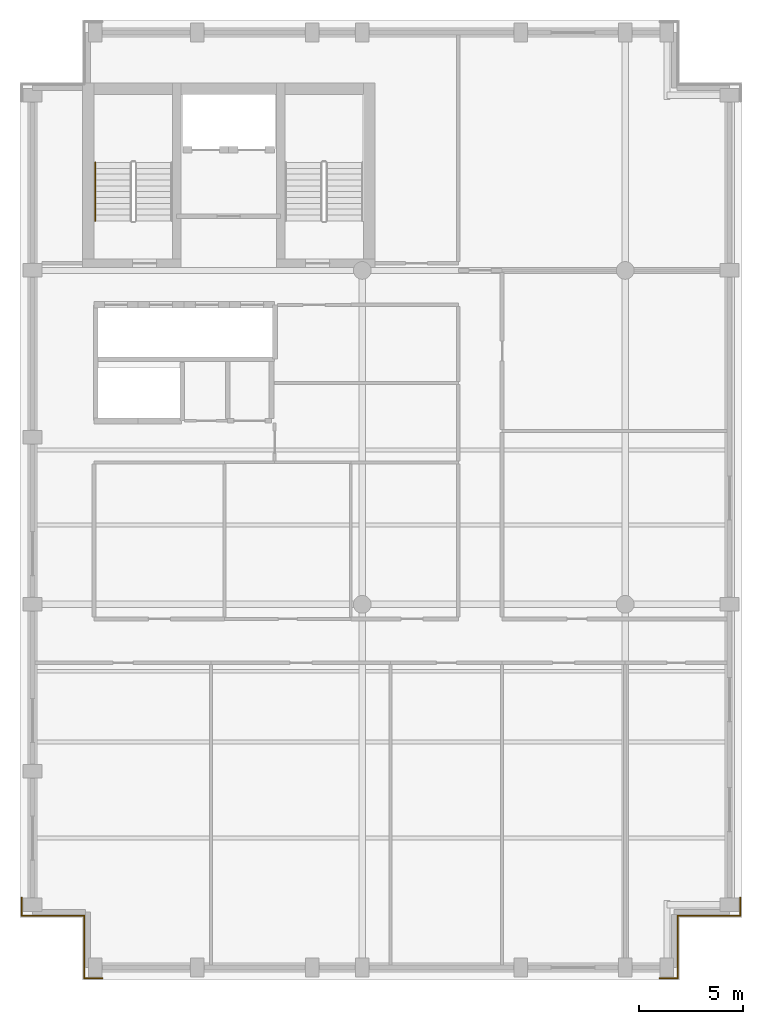
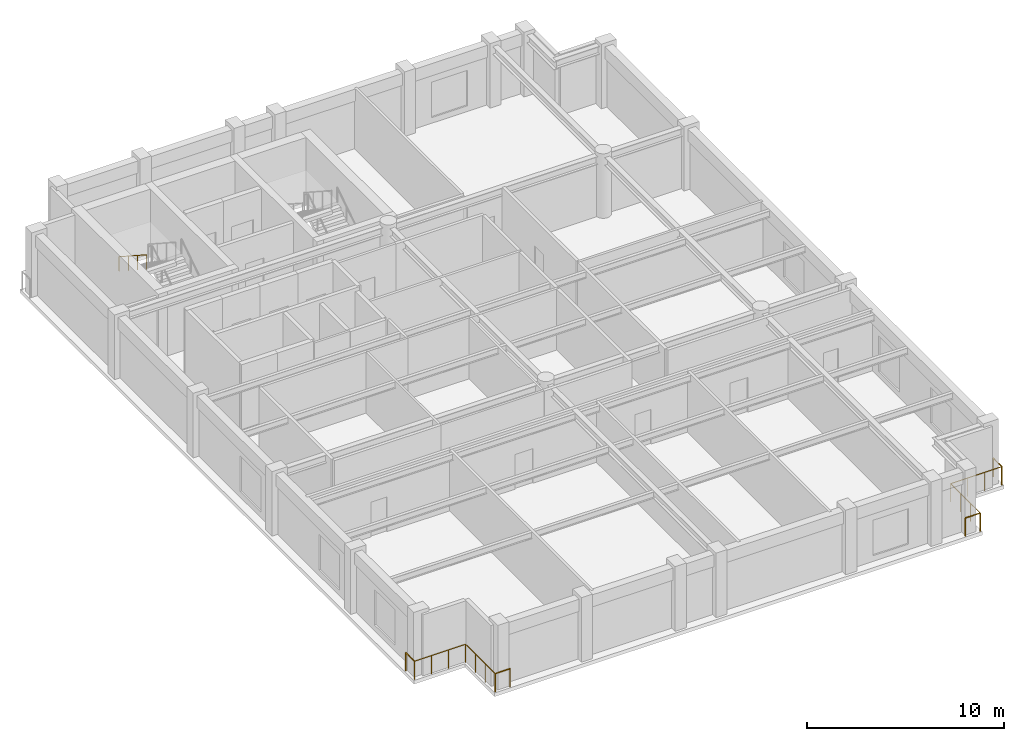
# One storey, part 5 of 6: 9 railings.
"""IFC4 building model written with IfcOpenShell, lengths in metres."""

from ifc_helpers import new_model, si_unit, direction, frame, origin, origin_2d, place, context, subcontext, project, spatial, circle, extrude, material, type_object, element, save


model = new_model("IFC4")

# Units and contexts
model_context = context("Model", 3, precision=1e-05, world=origin(), true_north=direction((0.0, 1.0)))
body_context = subcontext(model_context, "Body", "Model", "MODEL_VIEW")
ifc_project = project(units=[si_unit("LENGTHUNIT", "METRE"), si_unit("AREAUNIT", "SQUARE_METRE"), si_unit("VOLUMEUNIT", "CUBIC_METRE"), si_unit("PLANEANGLEUNIT", "RADIAN"), si_unit("MASSUNIT", "GRAM", prefix="KILO")], contexts=[model_context])

# Site, building, storey
site_placement = place(None, origin())
site = spatial("IfcSite", under=ifc_project, at=site_placement, CompositionType="ELEMENT")
building_placement = place(site_placement, origin())
building = spatial("IfcBuilding", under=site, at=building_placement, Name="Sulina Concourse Tower", CompositionType="ELEMENT")
storey_placement = place(building_placement, frame((0.0, 0.0, 309.0)))
storey = spatial("IfcBuildingStorey", under=building, at=storey_placement, Name="L75", CompositionType="ELEMENT", Elevation=309.0)

# Railings
ifc_material_1 = material(Name="Galvanised steel railing", Category="steel")
railing_type_1 = type_object("IfcRailingType", Name="Core Stair Steel Guardrail 1150mm", PredefinedType="GUARDRAIL", material=ifc_material_1)
railing_1_placement = place(storey_placement, frame((34.52001953125, 3.949951171875, 0.0)))
element("IfcRailing", 1, at=railing_1_placement, inside=storey, type_object=railing_type_1, Name="L75 perimeter edge safety guardrail SE1", PredefinedType="GUARDRAIL", context=body_context, shape_type="SweptSolid", body=[
    extrude(circle(Radius=0.02392578125, at=origin_2d()), frame((0.0, 0.0, 1.1259765625), z_axis=(0.0, -1.0, 0.0), x_axis=(1.0, 0.0, 0.0)), (0.0, 0.0, 1.0), 0.869873046875),
    extrude(circle(Radius=0.02099609375, at=origin_2d()), origin(), (0.0, 0.0, 1.0), 1.101806640625),
    extrude(circle(Radius=0.02099609375, at=origin_2d()), frame((0.0, -0.869873046875, 0.0)), (0.0, 0.0, 1.0), 1.101806640625),
])
railing_2_placement = place(storey_placement, frame((34.52001953125, 3.080078125, 0.0)))
element("IfcRailing", 2, at=railing_2_placement, inside=storey, type_object=railing_type_1, Name="L75 perimeter edge safety guardrail SE2", PredefinedType="GUARDRAIL", context=body_context, shape_type="SweptSolid", body=[
    extrude(circle(Radius=0.02392578125, at=origin_2d()), frame((0.0, 0.0, 1.1259765625), z_axis=(-1.0, 0.0, 0.0), x_axis=(0.0, -1.0, 0.0)), (0.0, 0.0, 1.0), 3.0),
    extrude(circle(Radius=0.02099609375, at=origin_2d()), origin(), (0.0, 0.0, 1.0), 1.101806640625),
    extrude(circle(Radius=0.02099609375, at=origin_2d()), frame((-1.0, 0.0, 0.0)), (0.0, 0.0, 1.0), 1.101806640625),
    extrude(circle(Radius=0.02099609375, at=origin_2d()), frame((-2.0, 0.0, 0.0)), (0.0, 0.0, 1.0), 1.101806640625),
    extrude(circle(Radius=0.02099609375, at=origin_2d()), frame((-3.0, 0.0, 0.0)), (0.0, 0.0, 1.0), 1.101806640625),
])
railing_3_placement = place(storey_placement, frame((31.52001953125, 3.080078125, 0.0)))
element("IfcRailing", 3, at=railing_3_placement, inside=storey, type_object=railing_type_1, Name="L75 perimeter edge safety guardrail SE3", PredefinedType="GUARDRAIL", context=body_context, shape_type="SweptSolid", body=[
    extrude(circle(Radius=0.02392578125, at=origin_2d()), frame((0.0, 0.0, 1.1259765625), z_axis=(0.0, -1.0, 0.0), x_axis=(1.0, 0.0, 0.0)), (0.0, 0.0, 1.0), 3.0),
    extrude(circle(Radius=0.02099609375, at=origin_2d()), origin(), (0.0, 0.0, 1.0), 1.101806640625),
    extrude(circle(Radius=0.02099609375, at=origin_2d()), frame((0.0, -1.0, 0.0)), (0.0, 0.0, 1.0), 1.101806640625),
    extrude(circle(Radius=0.02099609375, at=origin_2d()), frame((0.0, -2.0, 0.0)), (0.0, 0.0, 1.0), 1.101806640625),
    extrude(circle(Radius=0.02099609375, at=origin_2d()), frame((0.0, -3.0, 0.0)), (0.0, 0.0, 1.0), 1.101806640625),
])
railing_4_placement = place(storey_placement, frame((31.52001953125, 0.080078125, 0.0)))
element("IfcRailing", 4, at=railing_4_placement, inside=storey, type_object=railing_type_1, Name="L75 perimeter edge safety guardrail SE4", PredefinedType="GUARDRAIL", context=body_context, shape_type="SweptSolid", body=[
    extrude(circle(Radius=0.02392578125, at=origin_2d()), frame((0.0, 0.0, 1.1259765625), z_axis=(-1.0, 0.0, 0.0), x_axis=(0.0, -1.0, 0.0)), (0.0, 0.0, 1.0), 0.8701171875),
    extrude(circle(Radius=0.02099609375, at=origin_2d()), origin(), (0.0, 0.0, 1.0), 1.101806640625),
    extrude(circle(Radius=0.02099609375, at=origin_2d()), frame((-0.8701171875, 0.0, 0.0)), (0.0, 0.0, 1.0), 1.101806640625),
])
railing_5_placement = place(storey_placement, frame((3.949951171875, 0.080078125, 0.0)))
element("IfcRailing", 5, at=railing_5_placement, inside=storey, type_object=railing_type_1, Name="L75 perimeter edge safety guardrail SW1", PredefinedType="GUARDRAIL", context=body_context, shape_type="SweptSolid", body=[
    extrude(circle(Radius=0.02392578125, at=origin_2d()), frame((0.0, 0.0, 1.1259765625), z_axis=(-1.0, 0.0, 0.0), x_axis=(0.0, -1.0, 0.0)), (0.0, 0.0, 1.0), 0.869873046875),
    extrude(circle(Radius=0.02099609375, at=origin_2d()), origin(), (0.0, 0.0, 1.0), 1.101806640625),
    extrude(circle(Radius=0.02099609375, at=origin_2d()), frame((-0.869873046875, 0.0, 0.0)), (0.0, 0.0, 1.0), 1.101806640625),
])
railing_6_placement = place(storey_placement, frame((3.080078125, 0.080078125, 0.0)))
element("IfcRailing", 6, at=railing_6_placement, inside=storey, type_object=railing_type_1, Name="L75 perimeter edge safety guardrail SW2", PredefinedType="GUARDRAIL", context=body_context, shape_type="SweptSolid", body=[
    extrude(circle(Radius=0.02392578125, at=origin_2d()), frame((0.0, 0.0, 1.1259765625), z_axis=(0.0, 1.0, 0.0), x_axis=(-1.0, 0.0, 0.0)), (0.0, 0.0, 1.0), 3.0),
    extrude(circle(Radius=0.02099609375, at=origin_2d()), origin(), (0.0, 0.0, 1.0), 1.101806640625),
    extrude(circle(Radius=0.02099609375, at=origin_2d()), frame((0.0, 1.0, 0.0)), (0.0, 0.0, 1.0), 1.101806640625),
    extrude(circle(Radius=0.02099609375, at=origin_2d()), frame((0.0, 2.0, 0.0)), (0.0, 0.0, 1.0), 1.101806640625),
    extrude(circle(Radius=0.02099609375, at=origin_2d()), frame((0.0, 3.0, 0.0)), (0.0, 0.0, 1.0), 1.101806640625),
])
railing_7_placement = place(storey_placement, frame((3.080078125, 3.080078125, 0.0)))
element("IfcRailing", 7, at=railing_7_placement, inside=storey, type_object=railing_type_1, Name="L75 perimeter edge safety guardrail SW3", PredefinedType="GUARDRAIL", context=body_context, shape_type="SweptSolid", body=[
    extrude(circle(Radius=0.02392578125, at=origin_2d()), frame((0.0, 0.0, 1.1259765625), z_axis=(-1.0, 0.0, 0.0), x_axis=(0.0, -1.0, 0.0)), (0.0, 0.0, 1.0), 3.0),
    extrude(circle(Radius=0.02099609375, at=origin_2d()), origin(), (0.0, 0.0, 1.0), 1.101806640625),
    extrude(circle(Radius=0.02099609375, at=origin_2d()), frame((-1.0, 0.0, 0.0)), (0.0, 0.0, 1.0), 1.101806640625),
    extrude(circle(Radius=0.02099609375, at=origin_2d()), frame((-2.0, 0.0, 0.0)), (0.0, 0.0, 1.0), 1.101806640625),
    extrude(circle(Radius=0.02099609375, at=origin_2d()), frame((-3.0, 0.0, 0.0)), (0.0, 0.0, 1.0), 1.101806640625),
])
railing_8_placement = place(storey_placement, frame((0.080078125, 3.080078125, 0.0)))
element("IfcRailing", 8, at=railing_8_placement, inside=storey, type_object=railing_type_1, Name="L75 perimeter edge safety guardrail SW4", PredefinedType="GUARDRAIL", context=body_context, shape_type="SweptSolid", body=[
    extrude(circle(Radius=0.02392578125, at=origin_2d()), frame((0.0, 0.0, 1.1259765625), z_axis=(0.0, 1.0, 0.0), x_axis=(-1.0, 0.0, 0.0)), (0.0, 0.0, 1.0), 0.869873046875),
    extrude(circle(Radius=0.02099609375, at=origin_2d()), origin(), (0.0, 0.0, 1.0), 1.101806640625),
    extrude(circle(Radius=0.02099609375, at=origin_2d()), frame((0.0, 0.869873046875, 0.0)), (0.0, 0.0, 1.0), 1.101806640625),
])
ifc_material_2 = material(Name="Galvanised steel railing", Category="steel")
railing_type_2 = type_object("IfcRailingType", Name="Stair Wall Steel Handrail 920mm", PredefinedType="HANDRAIL", material=ifc_material_2)
railing_9_placement = place(storey_placement, frame((3.60498046875, 39.175048828125, 2.181884765625)))
element("IfcRailing", 9, at=railing_9_placement, inside=storey, type_object=railing_type_2, Name="L75 ST-1 stair handrail 2", PredefinedType="HANDRAIL", context=body_context, shape_type="SweptSolid", body=[
    extrude(circle(Radius=0.02392578125, at=origin_2d()), frame((0.0, 0.0, 0.89599609375), z_axis=(0.0, -0.838705829183, 0.544584733623), x_axis=(1.0, 0.0, 0.0)), (0.0, 0.0, 1.0), 3.338623046875),
    extrude(circle(Radius=0.02099609375, at=origin_2d()), origin(), (0.0, 0.0, 1.0), 0.871826171875),
    extrude(circle(Radius=0.02099609375, at=origin_2d()), frame((0.0, -0.933349609375, 0.60595703125)), (0.0, 0.0, 1.0), 0.871826171875),
    extrude(circle(Radius=0.02099609375, at=origin_2d()), frame((0.0, -1.86669921875, 1.212158203125)), (0.0, 0.0, 1.0), 0.871826171875),
    extrude(circle(Radius=0.02099609375, at=origin_2d()), frame((0.0, -2.800048828125, 1.818115234375)), (0.0, 0.0, 1.0), 0.871826171875),
])

save(model, "model.ifc")
